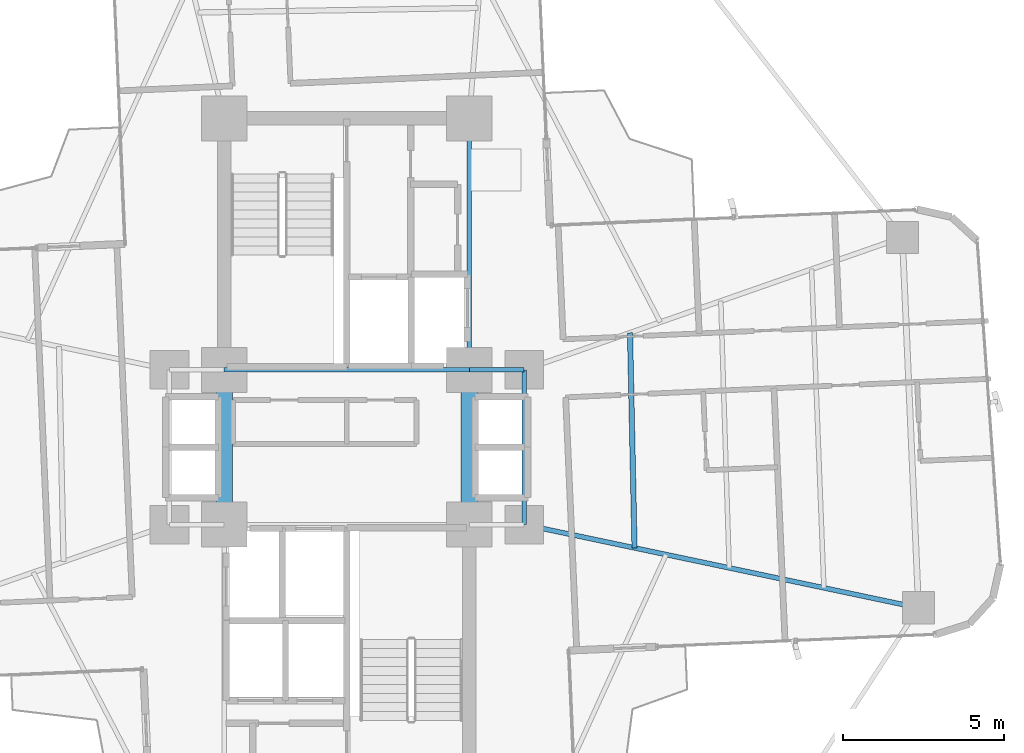
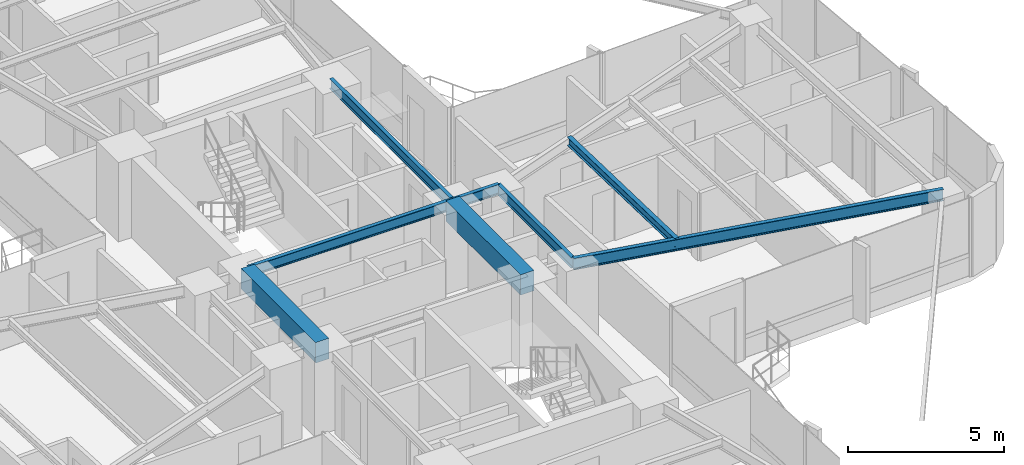
# One storey, part 12 of 26: 8 beams.
"""IFC4 building model written with IfcOpenShell, lengths in metres."""

from ifc_helpers import new_model, si_unit, direction, frame, origin, origin_2d, place, context, subcontext, project, spatial, rectangle, i_section, extrude, source, transform, mapped, material, material_profile, profile_set, type_object, element, save


model = new_model("IFC4")

# Units and contexts
model_context = context("Model", 3, precision=1e-05, world=origin(), true_north=direction((0.0, 1.0)))
body_context = subcontext(model_context, "Body", "Model", "MODEL_VIEW")
ifc_project = project(units=[si_unit("LENGTHUNIT", "METRE"), si_unit("AREAUNIT", "SQUARE_METRE"), si_unit("VOLUMEUNIT", "CUBIC_METRE"), si_unit("PLANEANGLEUNIT", "RADIAN"), si_unit("MASSUNIT", "GRAM", prefix="KILO")], contexts=[model_context])

# Site, building, storey
site_placement = place(None, origin())
site = spatial("IfcSite", under=ifc_project, at=site_placement, CompositionType="ELEMENT")
building_placement = place(site_placement, origin())
building = spatial("IfcBuilding", under=site, at=building_placement, Name="Sahyath Konkavel Grand Hotel", CompositionType="ELEMENT")
storey_placement = place(building_placement, frame((0.0, 0.0, 83.5)))
storey = spatial("IfcBuildingStorey", under=building, at=storey_placement, Name="L22", CompositionType="ELEMENT", Elevation=83.5)

# Beams
ifc_material_1 = material(Name="Steel E350", Category="steel")
ifc_material_profile_1 = material_profile(ifc_material_1, i_section(OverallWidth=0.139892578125, OverallDepth=0.39990234375, WebThickness=0.0087890625, FlangeThickness=0.01611328125, FilletRadius=0.013916015625, at=origin_2d()), Name="ISMB 400")
ifc_profile_set_1 = profile_set([ifc_material_profile_1], Name="Steel E350")
beam_type_1 = type_object("IfcBeamType", Name="BM-ISMB400", PredefinedType="BEAM", material=ifc_profile_set_1)
shared_shape_1 = source(origin(), body_context, "Body", "SweptSolid", [
    extrude(i_section(OverallWidth=0.139892578125, OverallDepth=0.39990234375, WebThickness=0.0087890625, FlangeThickness=0.01611328125, FilletRadius=0.013916015625, at=origin_2d()), origin(), (0.0, 0.0, 1.0), 7.60009765625),
])
beam_1_placement = place(storey_placement, frame((-3.800048828125, 2.39990234375, 2.909912109375), z_axis=(1.0, 0.0, 0.0), x_axis=(0.0, 1.0, 0.0)))
element("IfcBeam", 1, at=beam_1_placement, inside=storey, type_object=beam_type_1, Name="str:bm:L22:NC-S", PredefinedType="BEAM", context=body_context, shape_type="MappedRepresentation", body=[
    mapped(shared_shape_1, transform((0.0, 0.0, 0.0), scale=1.0)),
])
shared_shape_2 = source(origin(), body_context, "Body", "SweptSolid", [
    extrude(i_section(OverallWidth=0.139892578125, OverallDepth=0.39990234375, WebThickness=0.0087890625, FlangeThickness=0.01611328125, FilletRadius=0.013916015625, at=origin_2d()), origin(), (0.0, 0.0, 1.0), 7.800048828125),
])
beam_2_placement = place(storey_placement, frame((3.800048828125, 2.39990234375, 2.909912109375), z_axis=(0.0, 1.0, 0.0), x_axis=(-1.0, 0.0, 0.0)))
element("IfcBeam", 2, at=beam_2_placement, inside=storey, type_object=beam_type_1, Name="str:bm:L22:NC-E", PredefinedType="BEAM", context=body_context, shape_type="MappedRepresentation", body=[
    mapped(shared_shape_2, transform((0.0, 0.0, 0.0), scale=1.0)),
])
shared_shape_3 = source(origin(), body_context, "Body", "SweptSolid", [
    extrude(i_section(OverallWidth=0.139892578125, OverallDepth=0.39990234375, WebThickness=0.0087890625, FlangeThickness=0.01611328125, FilletRadius=0.013916015625, at=origin_2d()), origin(), (0.0, 0.0, 1.0), 1.699951171875),
])
beam_3_placement = place(storey_placement, frame((3.800048828125, 2.39990234375, 2.909912109375), z_axis=(1.0, 0.0, 0.0), x_axis=(0.0, 1.0, 0.0)))
element("IfcBeam", 3, at=beam_3_placement, inside=storey, type_object=beam_type_1, Name="str:bm:L22:HB-NE", PredefinedType="BEAM", context=body_context, shape_type="MappedRepresentation", body=[
    mapped(shared_shape_3, transform((0.0, 0.0, 0.0), scale=1.0)),
])
shared_shape_4 = source(origin(), body_context, "Body", "SweptSolid", [
    extrude(i_section(OverallWidth=0.139892578125, OverallDepth=0.39990234375, WebThickness=0.0087890625, FlangeThickness=0.01611328125, FilletRadius=0.013916015625, at=origin_2d()), origin(), (0.0, 0.0, 1.0), 4.7998046875),
])
beam_4_placement = place(storey_placement, frame((5.5, -2.39990234375, 2.909912109375), z_axis=(0.0, 1.0, 0.0), x_axis=(-1.0, 0.0, 0.0)))
element("IfcBeam", 4, at=beam_4_placement, inside=storey, type_object=beam_type_1, Name="str:bm:L22:HB-E", PredefinedType="BEAM", context=body_context, shape_type="MappedRepresentation", body=[
    mapped(shared_shape_4, transform((0.0, 0.0, 0.0), scale=1.0)),
])
ifc_material_2 = material(Name="Concrete C50/60", Category="concrete")
ifc_material_profile_2 = material_profile(ifc_material_2, rectangle(XDim=0.5, YDim=0.800048828125, at=origin_2d()), Name="RC 500x800")
ifc_profile_set_2 = profile_set([ifc_material_profile_2], Name="Concrete C50/60")
beam_type_2 = type_object("IfcBeamType", Name="BM-CB500x800", PredefinedType="LINTEL", material=ifc_profile_set_2)
shared_shape_5 = source(origin(), body_context, "Body", "SweptSolid", [
    extrude(rectangle(XDim=0.5, YDim=0.800048828125, at=origin_2d()), origin(), (0.0, 0.0, 1.0), 4.7998046875),
])
for number, where, z_axis, x_axis, name in (
    (5, (-3.800048828125, -2.39990234375, 2.7099609375), (0.0, 1.0, 0.0), (-1.0, 0.0, 0.0), "L22 Split-Core Coupling Beam West"),
    (6, (3.800048828125, -2.39990234375, 2.7099609375), (0.0, 1.0, 0.0), (-1.0, 0.0, 0.0), "L22 Split-Core Coupling Beam East"),
):
    element("IfcBeam", number, at=place(storey_placement, frame(where, z_axis=z_axis, x_axis=x_axis)), inside=storey, type_object=beam_type_2, Name=name, PredefinedType="LINTEL", context=body_context, shape_type="MappedRepresentation", body=[
        mapped(shared_shape_5, transform((0.0, 0.0, 0.0), scale=1.0)),
    ])
ifc_material_profile_3 = material_profile(ifc_material_1, i_section(OverallWidth=0.14990234375, OverallDepth=0.449951171875, WebThickness=0.009521484375, FlangeThickness=0.017333984375, FilletRadius=0.014892578125, at=origin_2d()), Name="ISMB 450")
ifc_profile_set_3 = profile_set([ifc_material_profile_3], Name="Steel E350")
beam_type_3 = type_object("IfcBeamType", Name="BM-ISMB450", PredefinedType="BEAM", material=ifc_profile_set_3)
shared_shape_6 = source(origin(), body_context, "Body", "SweptSolid", [
    extrude(i_section(OverallWidth=0.14990234375, OverallDepth=0.449951171875, WebThickness=0.009521484375, FlangeThickness=0.017333984375, FilletRadius=0.014892578125, at=origin_2d()), origin(), (0.0, 0.0, 1.0), 12.50341796875),
])
beam_5_placement = place(storey_placement, frame((5.5, -2.39990234375, 2.885009765625), z_axis=(0.978457911392, -0.206446398937, 0.0), x_axis=(0.206446398937, 0.978457911392, 0.0)))
element("IfcBeam", 7, at=beam_5_placement, inside=storey, type_object=beam_type_3, Name="L22 Cruciform Radial Girder EA", PredefinedType="BEAM", context=body_context, shape_type="MappedRepresentation", body=[
    mapped(shared_shape_6, transform((0.0, 0.0, 0.0), scale=1.0)),
])
ifc_material_profile_4 = material_profile(ifc_material_1, i_section(OverallWidth=0.1650390625, OverallDepth=0.324951171875, WebThickness=0.007080078125, FlangeThickness=0.009765625, FilletRadius=0.014892578125, at=origin_2d()), Name="ISLB 325")
ifc_profile_set_4 = profile_set([ifc_material_profile_4], Name="Steel E350")
beam_type_4 = type_object("IfcBeamType", Name="BM-ISLB325", PredefinedType="BEAM", material=ifc_profile_set_4)
shared_shape_7 = source(origin(), body_context, "Body", "SweptSolid", [
    extrude(i_section(OverallWidth=0.1650390625, OverallDepth=0.324951171875, WebThickness=0.007080078125, FlangeThickness=0.009765625, FilletRadius=0.014892578125, at=origin_2d()), origin(), (0.0, 0.0, 1.0), 6.674560546875),
])
beam_6_placement = place(storey_placement, frame((8.925537109375, -3.122802734375, 2.947509765625), z_axis=(-0.021032188543, 0.999778799058, 0.0), x_axis=(-0.999778799058, -0.021032188543, 0.0)))
element("IfcBeam", 8, at=beam_6_placement, inside=storey, type_object=beam_type_4, Name="L22 Secondary Floor Beam E-1", PredefinedType="BEAM", context=body_context, shape_type="MappedRepresentation", body=[
    mapped(shared_shape_7, transform((0.0, 0.0, 0.0), scale=1.0)),
])

save(model, "model.ifc")
